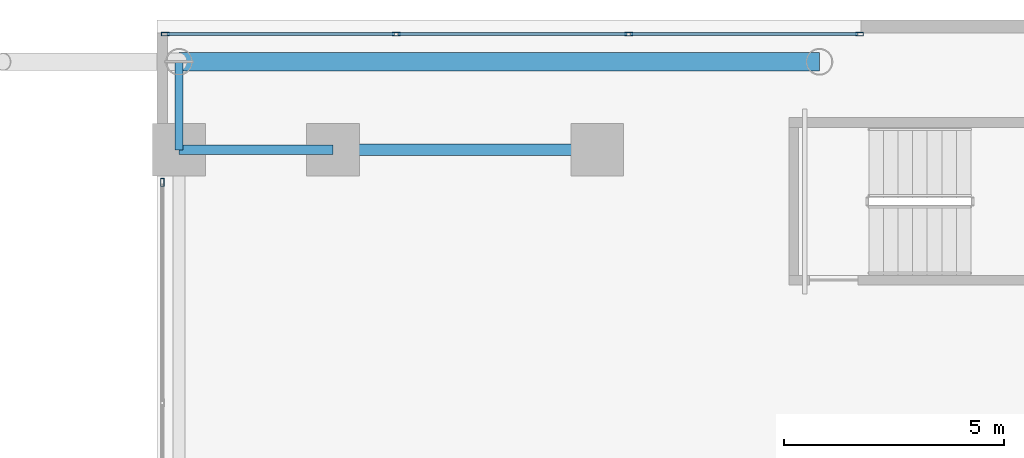
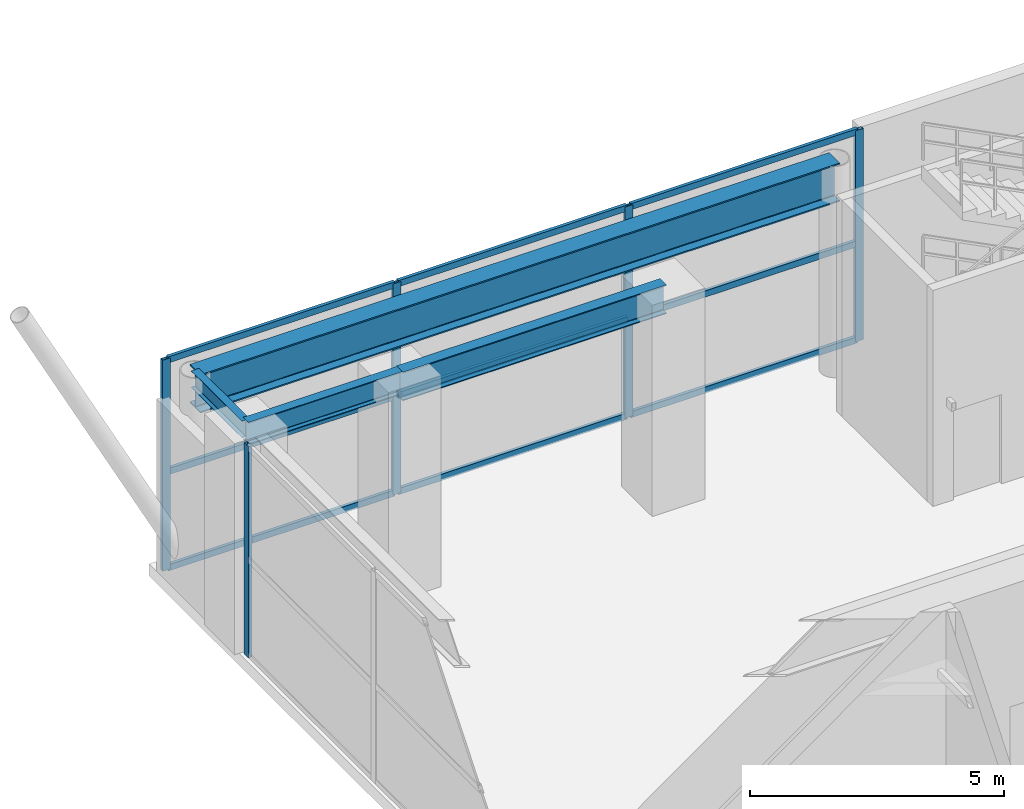
# One storey, part 17 of 29: 14 members, 4 beams, 2 elements without a shape of their own.
"""IFC4 building model written with IfcOpenShell, lengths in metres."""

from ifc_helpers import new_model, si_unit, direction, frame, origin, origin_2d, place, context, subcontext, project, spatial, hollow_rectangle, i_section, extrude, source, transform, mapped, material, layer, layer_set, material_profile, profile_set, type_object, element, aggregate, save


model = new_model("IFC4")

# Units and contexts
model_context = context("Model", 3, precision=1e-05, world=origin(), true_north=direction((0.0, 1.0)))
body_context = subcontext(model_context, "Body", "Model", "MODEL_VIEW")
ifc_project = project(units=[si_unit("LENGTHUNIT", "METRE"), si_unit("AREAUNIT", "SQUARE_METRE"), si_unit("VOLUMEUNIT", "CUBIC_METRE"), si_unit("PLANEANGLEUNIT", "RADIAN"), si_unit("MASSUNIT", "GRAM", prefix="KILO")], contexts=[model_context])

# Site, building, storey
site_placement = place(None, origin())
site = spatial("IfcSite", under=ifc_project, at=site_placement, CompositionType="ELEMENT")
building_placement = place(site_placement, origin())
building = spatial("IfcBuilding", under=site, at=building_placement, Name="Ocotamira Hotel", CompositionType="ELEMENT")
storey_placement = place(building_placement, frame((0.0, 0.0, 6.0)))
storey = spatial("IfcBuildingStorey", under=building, at=storey_placement, Name="L02", CompositionType="ELEMENT", Elevation=6.0)

# Beams
ifc_material_1 = material(Name="Steel ASTM A992 Grade 50", Category="steel")
ifc_material_profile_1 = material_profile(ifc_material_1, i_section(OverallWidth=0.41796875, OverallDepth=0.927001953125, WebThickness=0.019287109375, FlangeThickness=0.031982421875, FilletRadius=0.02392578125, at=origin_2d()), Name="W36X231")
ifc_profile_set_1 = profile_set([ifc_material_profile_1], Name="Steel ASTM A992 Grade 50")
beam_type_1 = type_object("IfcBeamType", Name="BM-GIRD-W36X231", PredefinedType="BEAM", material=ifc_profile_set_1)
shared_shape_1 = source(origin(), body_context, "Body", "SweptSolid", [
    extrude(i_section(OverallWidth=0.41796875, OverallDepth=0.927001953125, WebThickness=0.019287109375, FlangeThickness=0.031982421875, FilletRadius=0.02392578125, at=origin_2d()), origin(), (0.0, 0.0, 1.0), 14.550048828125),
])
beam_1_placement = place(storey_placement, frame((40.5, 51.050048828125, 4.616455078125), z_axis=(1.0, 0.0, 0.0), x_axis=(0.0, 1.0, 0.0)))
element("IfcBeam", 1, at=beam_1_placement, inside=storey, type_object=beam_type_1, Name="L02 Girder Y51.05 X40.5-55.05", PredefinedType="BEAM", context=body_context, shape_type="MappedRepresentation", body=[
    mapped(shared_shape_1, transform((0.0, 0.0, 0.0), scale=1.0)),
])
ifc_material_profile_2 = material_profile(ifc_material_1, i_section(OverallWidth=0.256103515625, OverallDepth=0.693115234375, WebThickness=0.014404296875, FlangeThickness=0.023681640625, FilletRadius=0.01611328125, at=origin_2d()), Name="W27X114")
ifc_profile_set_2 = profile_set([ifc_material_profile_2], Name="Steel ASTM A992 Grade 50")
beam_type_2 = type_object("IfcBeamType", Name="BM-PRIM-W27X114", PredefinedType="BEAM", material=ifc_profile_set_2)
shared_shape_2 = source(origin(), body_context, "Body", "SweptSolid", [
    extrude(i_section(OverallWidth=0.256103515625, OverallDepth=0.693115234375, WebThickness=0.014404296875, FlangeThickness=0.023681640625, FilletRadius=0.01611328125, at=origin_2d()), origin(), (0.0, 0.0, 1.0), 6.0),
])
beam_2_placement = place(storey_placement, frame((44.0, 49.050048828125, 4.7333984375), z_axis=(1.0, 0.0, 0.0), x_axis=(0.0, 1.0, 0.0)))
element("IfcBeam", 2, at=beam_2_placement, inside=storey, type_object=beam_type_2, Name="L02 Girder Y49.05 X44-50", PredefinedType="BEAM", context=body_context, shape_type="MappedRepresentation", body=[
    mapped(shared_shape_2, transform((0.0, 0.0, 0.0), scale=1.0)),
])
ifc_material_profile_3 = material_profile(ifc_material_1, i_section(OverallWidth=0.2099609375, OverallDepth=0.537109375, WebThickness=0.010986328125, FlangeThickness=0.017333984375, FilletRadius=0.012939453125, at=origin_2d()), Name="W21X68")
ifc_profile_set_3 = profile_set([ifc_material_profile_3], Name="Steel ASTM A992 Grade 50")
beam_type_3 = type_object("IfcBeamType", Name="BM-SEC-W21X68", PredefinedType="JOIST", material=ifc_profile_set_3)
shared_shape_3 = source(origin(), body_context, "Body", "SweptSolid", [
    extrude(i_section(OverallWidth=0.2099609375, OverallDepth=0.537109375, WebThickness=0.010986328125, FlangeThickness=0.017333984375, FilletRadius=0.012939453125, at=origin_2d()), origin(), (0.0, 0.0, 1.0), 3.5),
])
beam_3_placement = place(storey_placement, frame((40.5, 49.050048828125, 4.8115234375), z_axis=(1.0, 0.0, 0.0), x_axis=(0.0, 1.0, 0.0)))
element("IfcBeam", 3, at=beam_3_placement, inside=storey, type_object=beam_type_3, Name="L02 Girder Y49.05 X40.5-44", PredefinedType="JOIST", context=body_context, shape_type="MappedRepresentation", body=[
    mapped(shared_shape_3, transform((0.0, 0.0, 0.0), scale=1.0)),
])
ifc_material_profile_4 = material_profile(ifc_material_1, i_section(OverallWidth=0.177978515625, OverallDepth=0.403076171875, WebThickness=0.007568359375, FlangeThickness=0.010986328125, FilletRadius=0.010009765625, at=origin_2d()), Name="W16X36")
ifc_profile_set_4 = profile_set([ifc_material_profile_4], Name="Steel ASTM A992 Grade 50")
beam_type_4 = type_object("IfcBeamType", Name="BM-SEC-W16X36", PredefinedType="JOIST", material=ifc_profile_set_4)
shared_shape_4 = source(origin(), body_context, "Body", "SweptSolid", [
    extrude(i_section(OverallWidth=0.177978515625, OverallDepth=0.403076171875, WebThickness=0.007568359375, FlangeThickness=0.010986328125, FilletRadius=0.010009765625, at=origin_2d()), origin(), (0.0, 0.0, 1.0), 2.0),
])
beam_4_placement = place(storey_placement, frame((40.5, 49.050048828125, 4.87841796875), z_axis=(0.0, 1.0, 0.0), x_axis=(-1.0, 0.0, 0.0)))
element("IfcBeam", 4, at=beam_4_placement, inside=storey, type_object=beam_type_4, Name="L02 Beam X40.5 Y49.05-51.05", PredefinedType="JOIST", context=body_context, shape_type="MappedRepresentation", body=[
    mapped(shared_shape_4, transform((0.0, 0.0, 0.0), scale=1.0)),
])

# Curtain wall, members
ifc_material_2 = material(Name="Anodised pale-metal aluminium and solar glass", Category="aluminium")
ifc_layer = layer(ifc_material_2, 0.219970703125)
ifc_layer_set = layer_set([ifc_layer], Name="Anodised pale-metal aluminium and solar glass")
curtain_wall_type = type_object("IfcCurtainWallType", Name="CW-SYS1-POD", PredefinedType="NOTDEFINED", material=ifc_layer_set)
curtain_wall_1_placement = place(storey_placement, origin())
curtain_wall_1 = element("IfcCurtainWall", 5, at=curtain_wall_1_placement, inside=storey, type_object=curtain_wall_type, Name="L02 Curtain Wall CW-1 CW-L02-NE", PredefinedType="NOTDEFINED")
ifc_material_3 = material(Name="Anodised pale-metal aluminium 6063-T6", Category="aluminium")
ifc_material_profile_5 = material_profile(ifc_material_3, hollow_rectangle(XDim=0.080078125, YDim=0.179931640625, WallThickness=0.006103515625, at=origin_2d()), Name="HSS180X80X6")
ifc_profile_set_5 = profile_set([ifc_material_profile_5], Name="Anodised pale-metal aluminium 6063-T6")
member_type_1 = type_object("IfcMemberType", Name="CWM-180X75", PredefinedType="MULLION", material=ifc_profile_set_5)
shared_shape_5 = source(origin(), body_context, "Body", "SweptSolid", [
    extrude(hollow_rectangle(XDim=0.080078125, YDim=0.179931640625, WallThickness=0.006103515625, at=origin_2d()), origin(), (0.0, 0.0, 1.0), 5.080078125),
])
member_1_placement = place(storey_placement, frame((40.18994140625, 51.679931640625, 0.0), z_axis=(0.0, 0.0, 1.0), x_axis=(0.0, 1.0, 0.0)))
member_1 = element("IfcMember", 6, at=member_1_placement, type_object=member_type_1, Name="CW-1 mullion 1", PredefinedType="MULLION", context=body_context, shape_type="MappedRepresentation", body=[
    mapped(shared_shape_5, transform((0.0, 0.0, 0.0), scale=1.0)),
])
member_2_placement = place(storey_placement, frame((45.433349609375, 51.679931640625, 0.0), z_axis=(0.0, 0.0, 1.0), x_axis=(0.0, 1.0, 0.0)))
member_2 = element("IfcMember", 7, at=member_2_placement, type_object=member_type_1, Name="CW-1 mullion 2", PredefinedType="MULLION", context=body_context, shape_type="MappedRepresentation", body=[
    mapped(shared_shape_5, transform((0.0, 0.0, 0.0), scale=1.0)),
])
member_3_placement = place(storey_placement, frame((50.716552734375, 51.679931640625, 0.0), z_axis=(0.0, 0.0, 1.0), x_axis=(0.0, 1.0, 0.0)))
member_3 = element("IfcMember", 8, at=member_3_placement, type_object=member_type_1, Name="CW-1 mullion 3", PredefinedType="MULLION", context=body_context, shape_type="MappedRepresentation", body=[
    mapped(shared_shape_5, transform((0.0, 0.0, 0.0), scale=1.0)),
])
member_4_placement = place(storey_placement, frame((55.9599609375, 51.679931640625, 0.0), z_axis=(0.0, 0.0, 1.0), x_axis=(0.0, 1.0, 0.0)))
member_4 = element("IfcMember", 9, at=member_4_placement, type_object=member_type_1, Name="CW-1 mullion 4", PredefinedType="MULLION", context=body_context, shape_type="MappedRepresentation", body=[
    mapped(shared_shape_5, transform((0.0, 0.0, 0.0), scale=1.0)),
])

# Curtain wall, member
curtain_wall_2_placement = place(storey_placement, origin())
curtain_wall_2 = element("IfcCurtainWall", 10, at=curtain_wall_2_placement, inside=storey, type_object=curtain_wall_type, Name="L02 Curtain Wall CW-1 CW-L02-AE-N", PredefinedType="NOTDEFINED")
member_5_placement = place(storey_placement, frame((40.1201171875, 48.31005859375, 0.0), z_axis=(0.0, 0.0, 1.0), x_axis=(-1.0, 0.0, 0.0)))
member_5 = element("IfcMember", 11, at=member_5_placement, type_object=member_type_1, Name="CW-1 mullion 3", PredefinedType="MULLION", context=body_context, shape_type="MappedRepresentation", body=[
    mapped(shared_shape_5, transform((0.0, 0.0, 0.0), scale=1.0)),
])
aggregate(curtain_wall_2, [member_5])

# Member
ifc_material_profile_6 = material_profile(ifc_material_3, hollow_rectangle(XDim=0.074951171875, YDim=0.14990234375, WallThickness=0.006103515625, at=origin_2d()), Name="HSS150X75X6")
ifc_profile_set_6 = profile_set([ifc_material_profile_6], Name="Anodised pale-metal aluminium 6063-T6")
member_type_2 = type_object("IfcMemberType", Name="CWT-150X75", PredefinedType="USERDEFINED", material=ifc_profile_set_6)
shared_shape_6 = source(origin(), body_context, "Body", "SweptSolid", [
    extrude(hollow_rectangle(XDim=0.074951171875, YDim=0.14990234375, WallThickness=0.006103515625, at=origin_2d()), origin(), (0.0, 0.0, 1.0), 5.163330078125),
])
member_6_placement = place(storey_placement, frame((40.22998046875, 51.679931640625, 0.03759765625), z_axis=(1.0, 0.0, 0.0), x_axis=(0.0, 1.0, 0.0)))
member_6 = element("IfcMember", 12, at=member_6_placement, type_object=member_type_2, Name="CW-1 transom 1.1", ObjectType="TRANSOM", PredefinedType="USERDEFINED", context=body_context, shape_type="MappedRepresentation", body=[
    mapped(shared_shape_6, transform((0.0, 0.0, 0.0), scale=1.0)),
])

member_7_placement = place(storey_placement, frame((40.22998046875, 51.679931640625, 2.35009765625), z_axis=(1.0, 0.0, 0.0), x_axis=(0.0, 1.0, 0.0)))
member_7 = element("IfcMember", 13, at=member_7_placement, type_object=member_type_2, Name="CW-1 transom 1.2", ObjectType="TRANSOM", PredefinedType="USERDEFINED", context=body_context, shape_type="MappedRepresentation", body=[
    mapped(shared_shape_6, transform((0.0, 0.0, 0.0), scale=1.0)),
])

member_8_placement = place(storey_placement, frame((40.22998046875, 51.679931640625, 5.04248046875), z_axis=(1.0, 0.0, 0.0), x_axis=(0.0, 1.0, 0.0)))
member_8 = element("IfcMember", 14, at=member_8_placement, type_object=member_type_2, Name="CW-1 transom 1.3", ObjectType="TRANSOM", PredefinedType="USERDEFINED", context=body_context, shape_type="MappedRepresentation", body=[
    mapped(shared_shape_6, transform((0.0, 0.0, 0.0), scale=1.0)),
])

member_9_placement = place(storey_placement, frame((50.756591796875, 51.679931640625, 0.03759765625), z_axis=(1.0, 0.0, 0.0), x_axis=(0.0, 1.0, 0.0)))
member_9 = element("IfcMember", 15, at=member_9_placement, type_object=member_type_2, Name="CW-1 transom 3.1", ObjectType="TRANSOM", PredefinedType="USERDEFINED", context=body_context, shape_type="MappedRepresentation", body=[
    mapped(shared_shape_6, transform((0.0, 0.0, 0.0), scale=1.0)),
])

member_10_placement = place(storey_placement, frame((50.756591796875, 51.679931640625, 2.35009765625), z_axis=(1.0, 0.0, 0.0), x_axis=(0.0, 1.0, 0.0)))
member_10 = element("IfcMember", 16, at=member_10_placement, type_object=member_type_2, Name="CW-1 transom 3.2", ObjectType="TRANSOM", PredefinedType="USERDEFINED", context=body_context, shape_type="MappedRepresentation", body=[
    mapped(shared_shape_6, transform((0.0, 0.0, 0.0), scale=1.0)),
])

member_11_placement = place(storey_placement, frame((50.756591796875, 51.679931640625, 5.04248046875), z_axis=(1.0, 0.0, 0.0), x_axis=(0.0, 1.0, 0.0)))
member_11 = element("IfcMember", 17, at=member_11_placement, type_object=member_type_2, Name="CW-1 transom 3.3", ObjectType="TRANSOM", PredefinedType="USERDEFINED", context=body_context, shape_type="MappedRepresentation", body=[
    mapped(shared_shape_6, transform((0.0, 0.0, 0.0), scale=1.0)),
])

shared_shape_7 = source(origin(), body_context, "Body", "SweptSolid", [
    extrude(hollow_rectangle(XDim=0.074951171875, YDim=0.14990234375, WallThickness=0.006103515625, at=origin_2d()), origin(), (0.0, 0.0, 1.0), 5.203369140625),
])
member_12_placement = place(storey_placement, frame((45.473388671875, 51.679931640625, 0.03759765625), z_axis=(1.0, 0.0, 0.0), x_axis=(0.0, 1.0, 0.0)))
member_12 = element("IfcMember", 18, at=member_12_placement, type_object=member_type_2, Name="CW-1 transom 2.1", ObjectType="TRANSOM", PredefinedType="USERDEFINED", context=body_context, shape_type="MappedRepresentation", body=[
    mapped(shared_shape_7, transform((0.0, 0.0, 0.0), scale=1.0)),
])

member_13_placement = place(storey_placement, frame((45.473388671875, 51.679931640625, 2.35009765625), z_axis=(1.0, 0.0, 0.0), x_axis=(0.0, 1.0, 0.0)))
member_13 = element("IfcMember", 19, at=member_13_placement, type_object=member_type_2, Name="CW-1 transom 2.2", ObjectType="TRANSOM", PredefinedType="USERDEFINED", context=body_context, shape_type="MappedRepresentation", body=[
    mapped(shared_shape_7, transform((0.0, 0.0, 0.0), scale=1.0)),
])

member_14_placement = place(storey_placement, frame((45.473388671875, 51.679931640625, 5.04248046875), z_axis=(1.0, 0.0, 0.0), x_axis=(0.0, 1.0, 0.0)))
member_14 = element("IfcMember", 20, at=member_14_placement, type_object=member_type_2, Name="CW-1 transom 2.3", ObjectType="TRANSOM", PredefinedType="USERDEFINED", context=body_context, shape_type="MappedRepresentation", body=[
    mapped(shared_shape_7, transform((0.0, 0.0, 0.0), scale=1.0)),
])

aggregate(curtain_wall_1, [member_1, member_2, member_3, member_4, member_6, member_7, member_8, member_12, member_13, member_14, member_9, member_10, member_11])

save(model, "model.ifc")
